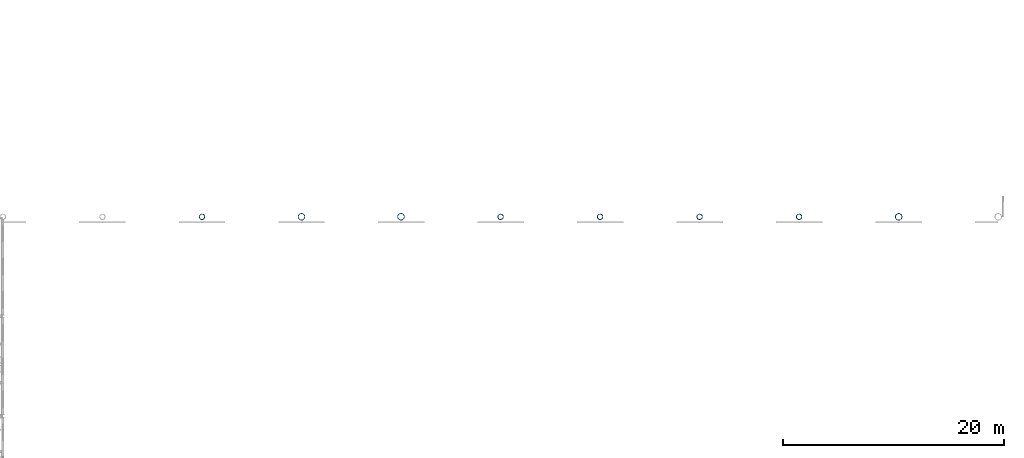
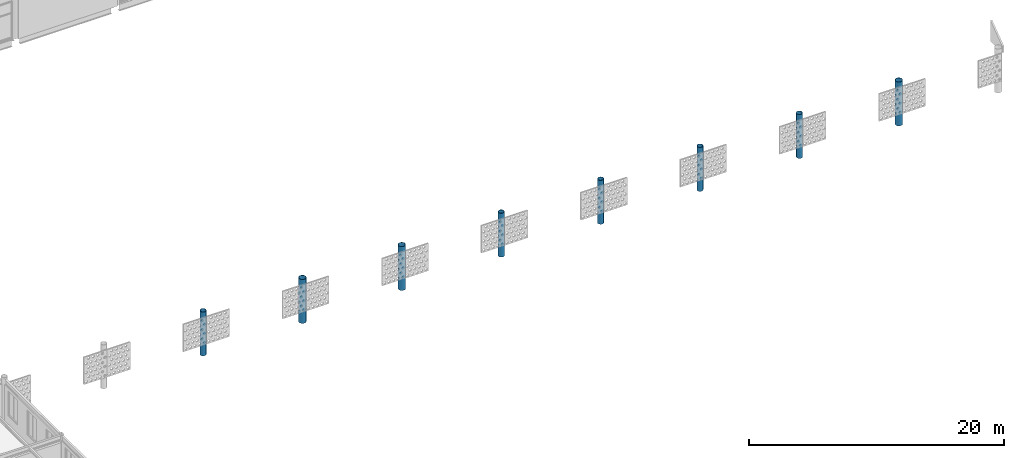
# One storey, part 13 of 123: 8 columns.
"""IFC4 building model written with IfcOpenShell, lengths in metres."""

import ifcopenshell
import ifcopenshell.guid

model = None  # the IFC model being written
_history = None  # IfcOwnerHistory: only IFC2X3 demands one
_inside = {}  # id of a spatial element -> (the spatial element, [elements in it])
_under = {}  # id of a project, library or spatial element -> (it, [spatial elements below it])
_declared = {}  # id of a project -> (the project, [libraries it declares])
_typed = {}  # id of a type object -> (the type object, [elements of that type])
_made_of = {}  # id of a material, layer set ... -> (it, [elements and type objects made of it])


def new_model(schema):
    """Start an empty IFC model of exactly this schema.

    Asked for "IFC4X3", IfcOpenShell would pick the latest addendum, in which some entities
    have other attributes; the version numbers below select the first issue.
    IFC2X3 requires an IfcOwnerHistory on every rooted entity: one is made here for all.
    """
    global model, _history
    if schema == "IFC4X3":
        model = ifcopenshell.file(schema_version=(4, 3, 0, 0))
    else:
        model = ifcopenshell.file(schema=schema)
    _inside.clear()
    _under.clear()
    _declared.clear()
    _typed.clear()
    _made_of.clear()
    _history = None
    if model.schema == "IFC2X3":
        org = make("IfcOrganization", Name="unknown")
        user = make(
            "IfcPersonAndOrganization",
            ThePerson=make("IfcPerson", FamilyName="unknown"),
            TheOrganization=org,
        )
        app = make(
            "IfcApplication",
            ApplicationDeveloper=org,
            Version="unknown",
            ApplicationFullName="unknown",
            ApplicationIdentifier="unknown",
        )
        _history = make(
            "IfcOwnerHistory",
            OwningUser=user,
            OwningApplication=app,
            ChangeAction="ADDED",
            CreationDate=0,
        )
    return model


def make(cls, **values):
    """One entity of the class cls with the attributes given. An attribute that is None is left unset."""
    return model.create_entity(
        cls, **{name: value for name, value in values.items() if value is not None}
    )


def rooted(cls, **values):
    """An entity with a GlobalId (a new one), such as an element, a storey or a relation."""
    return make(cls, GlobalId=ifcopenshell.guid.new(), OwnerHistory=_history, **values)


def si_unit(unit_type, name, prefix=None):
    """IfcSIUnit, for example si_unit("LENGTHUNIT", "METRE", prefix="MILLI")."""
    return make("IfcSIUnit", UnitType=unit_type, Prefix=prefix, Name=name)


def assignment(units):
    """IfcUnitAssignment: the units of a project."""
    return None if units is None else make("IfcUnitAssignment", Units=units)


def point(xyz):
    """IfcCartesianPoint."""
    return None if xyz is None else make("IfcCartesianPoint", Coordinates=xyz)


def direction(xyz):
    """IfcDirection."""
    return None if xyz is None else make("IfcDirection", DirectionRatios=xyz)


def frame(location, z_axis=None, x_axis=None):
    """IfcAxis2Placement3D, a coordinate frame: its origin and axes. An axis left out is left unset."""
    return make(
        "IfcAxis2Placement3D",
        Location=point(location),
        Axis=direction(z_axis),
        RefDirection=direction(x_axis),
    )


def frame_2d(location, x_axis=None):
    """IfcAxis2Placement2D, a coordinate frame in the plane: its origin and x axis."""
    return make(
        "IfcAxis2Placement2D", Location=point(location), RefDirection=direction(x_axis)
    )


def origin():
    """The frame at (0, 0, 0) with its axes left unset."""
    return frame((0.0, 0.0, 0.0))


def origin_2d():
    """The frame at (0, 0) in the plane with its x axis left unset."""
    return frame_2d((0.0, 0.0))


def place(relative_to, where):
    """IfcLocalPlacement: puts the frame where relative to a parent placement (None: the world)."""
    return make(
        "IfcLocalPlacement", PlacementRelTo=relative_to, RelativePlacement=where
    )


def context(
    kind, dimensions, precision=None, world=None, true_north=None, identifier=None
):
    """IfcGeometricRepresentationContext, for example the 3D "Model" context."""
    return make(
        "IfcGeometricRepresentationContext",
        ContextIdentifier=identifier,
        ContextType=kind,
        CoordinateSpaceDimension=dimensions,
        Precision=precision,
        WorldCoordinateSystem=world,
        TrueNorth=true_north,
    )


def subcontext(parent, identifier, kind, view, scale=None):
    """IfcGeometricRepresentationSubContext, for example "Body" below "Model"."""
    return make(
        "IfcGeometricRepresentationSubContext",
        ContextIdentifier=identifier,
        ContextType=kind,
        ParentContext=parent,
        TargetScale=scale,
        TargetView=view,
    )


def project(units=None, contexts=None):
    """IfcProject with its units and contexts."""
    return rooted(
        "IfcProject",
        Name="project",
        RepresentationContexts=contexts,
        UnitsInContext=assignment(units),
    )


def spatial(cls, under=None, at=None, **own):
    """A site, building, storey or space (cls), placed at a placement, below another one or the project."""
    s = rooted(cls, ObjectPlacement=at, **own)
    if under is not None:
        _under.setdefault(under.id(), (under, []))[1].append(s)
    return s


def profile(cls, at=None, kind="AREA", **sizes):
    """A parametric profile (cls). Its sizes go by their IFC names, for example OverallWidth=200.0."""
    return make(cls, ProfileType=kind, Position=at, **sizes)


def hollow_circle(**sizes):
    """IfcCircleHollowProfileDef."""
    return profile("IfcCircleHollowProfileDef", **sizes)


def extrude(swept, where, along, depth):
    """IfcExtrudedAreaSolid: the profile swept, set in the frame where, extruded along a direction by depth."""
    return make(
        "IfcExtrudedAreaSolid",
        SweptArea=swept,
        Position=where,
        ExtrudedDirection=direction(along),
        Depth=depth,
    )


def shape(context_of_items, identifier, shape_type, items):
    """IfcShapeRepresentation: the items that make up one representation, for example the "Body"."""
    return make(
        "IfcShapeRepresentation",
        ContextOfItems=context_of_items,
        RepresentationIdentifier=identifier,
        RepresentationType=shape_type,
        Items=items,
    )


def material(Name=None, Category=None):
    """IfcMaterial."""
    return make("IfcMaterial", Name=Name, Category=Category)


def material_profile(
    of_material, cross_section, Name=None, Category=None, Priority=None
):
    """IfcMaterialProfile: a cross section and its material."""
    return make(
        "IfcMaterialProfile",
        Name=Name,
        Material=of_material,
        Profile=cross_section,
        Priority=Priority,
        Category=Category,
    )


def profile_set(profiles, Name=None, composite=None):
    """IfcMaterialProfileSet."""
    return make(
        "IfcMaterialProfileSet",
        Name=Name,
        MaterialProfiles=profiles,
        CompositeProfile=composite,
    )


def made_of(thing, what):
    """Note that an element or type object is made of a material, layer set ...; save() writes the relation."""
    if what is not None:
        _made_of.setdefault(what.id(), (what, []))[1].append(thing)
    return thing


def type_object(cls, material=None, **own):
    """A type object (cls), such as IfcWallType, which elements share."""
    return made_of(rooted(cls, **own), material)


def element(
    cls,
    number,
    at=None,
    inside=None,
    cuts=None,
    type_object=None,
    material=None,
    context=None,
    identifier="Body",
    shape_type=None,
    held_by="IfcProductDefinitionShape",
    body=None,
    shapes=None,
    **own,
):
    """One element of the class cls, such as IfcWall. Its Tag is "e" and its number.

    at: its placement. inside: the storey or other place that contains it. cuts: it is an
    opening in that element (IfcRelVoidsElement). A single representation is given by context,
    identifier, shape_type and body (its items); several are given by shapes. held_by: the class
    of the entity that holds the representations. save() writes the other relations.
    """
    e = rooted(cls, Tag="e%d" % number, ObjectPlacement=at, **own)
    if body is not None:
        shapes = [shape(context, identifier, shape_type, body)]
    if shapes is not None:
        e.Representation = make(held_by, Representations=shapes)
    if inside is not None:
        _inside.setdefault(inside.id(), (inside, []))[1].append(e)
    if cuts is not None:
        rooted(
            "IfcRelVoidsElement", RelatingBuildingElement=cuts, RelatedOpeningElement=e
        )
    if type_object is not None:
        _typed.setdefault(type_object.id(), (type_object, []))[1].append(e)
    return made_of(e, material)


def aggregate(whole, parts):
    """IfcRelAggregates: a whole, such as a stair, and the parts it consists of."""
    return rooted("IfcRelAggregates", RelatingObject=whole, RelatedObjects=parts)


def save(model, path):
    """Write the relations noted so far, then the file.

    IfcRelAggregates (storeys below a building ...), IfcRelContainedInSpatialStructure (elements
    in a storey), IfcRelDefinesByType, IfcRelAssociatesMaterial and IfcRelDeclares: one each for
    every whole, place, type object, material and project.
    """
    for whole, parts in _under.values():
        aggregate(whole, parts)
    for where, things in _inside.values():
        rooted(
            "IfcRelContainedInSpatialStructure",
            RelatedElements=things,
            RelatingStructure=where,
        )
    for kind, things in _typed.values():
        rooted("IfcRelDefinesByType", RelatedObjects=things, RelatingType=kind)
    for what, things in _made_of.values():
        rooted("IfcRelAssociatesMaterial", RelatedObjects=things, RelatingMaterial=what)
    for by, libraries in _declared.values():
        rooted("IfcRelDeclares", RelatingContext=by, RelatedDefinitions=libraries)
    model.write(path)


model = new_model("IFC4")

# Units and contexts
model_context = context("Model", 3, precision=1e-05, world=origin(), true_north=direction((0.0, 1.0)))
body_context = subcontext(model_context, "Body", "Model", "MODEL_VIEW")
ifc_project = project(units=[si_unit("LENGTHUNIT", "METRE"), si_unit("AREAUNIT", "SQUARE_METRE"), si_unit("VOLUMEUNIT", "CUBIC_METRE"), si_unit("PLANEANGLEUNIT", "RADIAN"), si_unit("MASSUNIT", "GRAM", prefix="KILO")], contexts=[model_context])

# Site, building, storey
site_placement = place(None, origin())
site = spatial("IfcSite", under=ifc_project, at=site_placement, CompositionType="ELEMENT")
building_placement = place(site_placement, origin())
building = spatial("IfcBuilding", under=site, at=building_placement, Name="Baradari Gate Terminus", CompositionType="ELEMENT")
storey_placement = place(building_placement, frame((0.0, 0.0, 7.5)))
storey = spatial("IfcBuildingStorey", under=building, at=storey_placement, Name="L01", CompositionType="ELEMENT", Elevation=7.5)

# Columns
ifc_material_1 = material(Name="Steel S355", Category="steel")
ifc_material_profile_1 = material_profile(ifc_material_1, hollow_circle(Radius=0.304931640625, WallThickness=0.02001953125, at=origin_2d()), Name="CHS 610x20")
ifc_profile_set_1 = profile_set([ifc_material_profile_1], Name="Steel S355")
column_type_1 = type_object("IfcColumnType", Name="Braced shed column C09 CHS 610x20", PredefinedType="COLUMN", material=ifc_profile_set_1)
for number, where, z_axis, x_axis, name in (
    (1, (180.0, 36.0, 0.0), (0.0, 0.0, 1.0), (1.0, 0.0, 0.0), "C09 column 21-E L01"),
    (2, (189.0, 36.0, 0.0), (0.0, 0.0, 1.0), (1.0, 0.0, 0.0), "C09 column 22-E L01"),
    (3, (234.0, 36.0, 0.0), (0.0, 0.0, 1.0), (1.0, 0.0, 0.0), "C09 column 27-E L01"),
):
    element("IfcColumn", number, at=place(storey_placement, frame(where, z_axis=z_axis, x_axis=x_axis)), inside=storey, type_object=column_type_1, Name=name, PredefinedType="COLUMN", context=body_context, shape_type="SweptSolid", body=[
        extrude(hollow_circle(Radius=0.304931640625, WallThickness=0.02001953125, at=origin_2d()), origin(), (0.0, 0.0, 1.0), 4.199951171875),
    ])
ifc_material_2 = material(Name="Steel S355", Category="steel")
ifc_material_profile_2 = material_profile(ifc_material_2, hollow_circle(Radius=0.25390625, WallThickness=0.02490234375, at=origin_2d()), Name="CHS 508x25")
ifc_profile_set_2 = profile_set([ifc_material_profile_2], Name="Steel S355")
column_type_2 = type_object("IfcColumnType", Name="Shed column C11 CHS 508x25", PredefinedType="COLUMN", material=ifc_profile_set_2)
for number, where, z_axis, x_axis, name in (
    (4, (171.0, 36.0, 0.0), (0.0, 0.0, 1.0), (1.0, 0.0, 0.0), "C11 column 20-E L01"),
    (5, (198.0, 36.0, 0.0), (0.0, 0.0, 1.0), (1.0, 0.0, 0.0), "C11 column 23-E L01"),
    (6, (207.0, 36.0, 0.0), (0.0, 0.0, 1.0), (1.0, 0.0, 0.0), "C11 column 24-E L01"),
    (7, (216.0, 36.0, 0.0), (0.0, 0.0, 1.0), (1.0, 0.0, 0.0), "C11 column 25-E L01"),
    (8, (225.0, 36.0, 0.0), (0.0, 0.0, 1.0), (1.0, 0.0, 0.0), "C11 column 26-E L01"),
):
    element("IfcColumn", number, at=place(storey_placement, frame(where, z_axis=z_axis, x_axis=x_axis)), inside=storey, type_object=column_type_2, Name=name, PredefinedType="COLUMN", context=body_context, shape_type="SweptSolid", body=[
        extrude(hollow_circle(Radius=0.25390625, WallThickness=0.02490234375, at=origin_2d()), origin(), (0.0, 0.0, 1.0), 4.199951171875),
    ])

save(model, "model.ifc")
